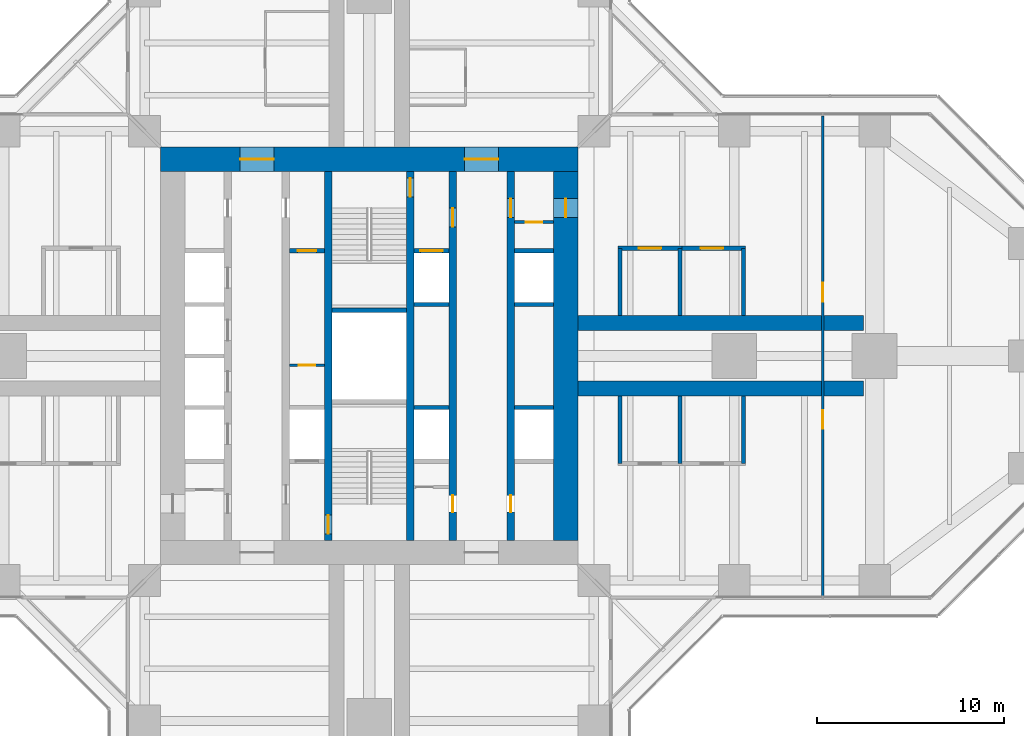
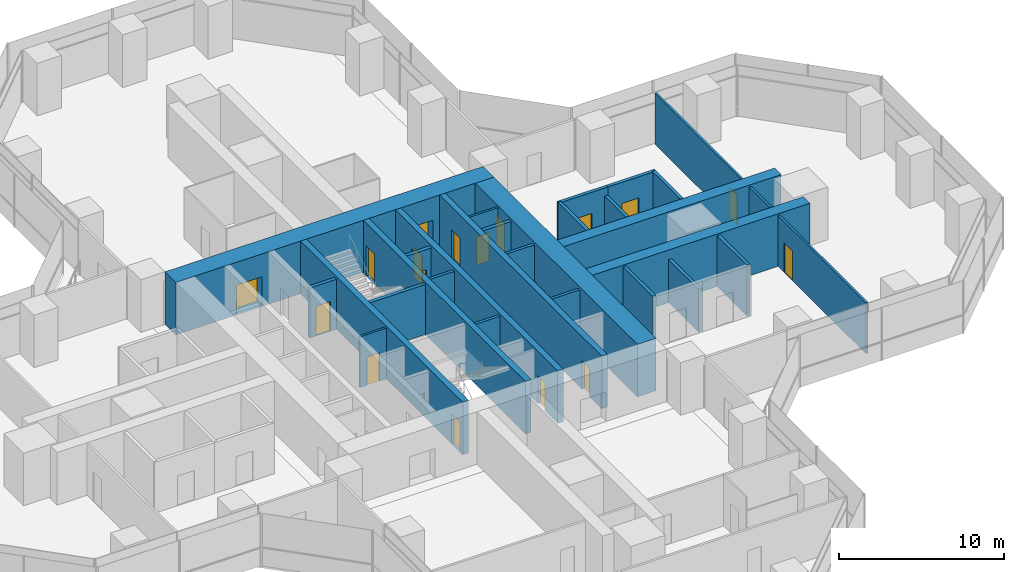
# One storey, part 19 of 22: 27 walls, 17 doors, 17 openings.
"""IFC4 building model written with IfcOpenShell, lengths in metres."""

from ifc_helpers import new_model, si_unit, direction, frame, frame_2d, origin, place, context, subcontext, project, spatial, rectangle, extrude, material, layer, layer_set, type_object, element, fill, save


model = new_model("IFC4")

# Units and contexts
model_context = context("Model", 3, precision=1e-05, world=origin(), true_north=direction((0.0, 1.0)))
body_context = subcontext(model_context, "Body", "Model", "MODEL_VIEW")
ifc_project = project(units=[si_unit("LENGTHUNIT", "METRE"), si_unit("AREAUNIT", "SQUARE_METRE"), si_unit("VOLUMEUNIT", "CUBIC_METRE"), si_unit("PLANEANGLEUNIT", "RADIAN"), si_unit("MASSUNIT", "GRAM", prefix="KILO")], contexts=[model_context])

# Site, building, storey
site_placement = place(None, origin())
site = spatial("IfcSite", under=ifc_project, at=site_placement, CompositionType="ELEMENT")
building_placement = place(site_placement, origin())
building = spatial("IfcBuilding", under=site, at=building_placement, Name="Mizan Broadcast Tower", CompositionType="ELEMENT")
storey_placement = place(building_placement, frame((0.0, 0.0, 59.10009765625)))
storey = spatial("IfcBuildingStorey", under=building, at=storey_placement, Name="L11", CompositionType="ELEMENT", Elevation=59.10009765625)

# Wall, openings, doors
ifc_material_1 = material(Name="Concrete C70/85", Category="concrete")
ifc_layer_1 = layer(ifc_material_1, 0.39990234375)
ifc_layer_set_1 = layer_set([ifc_layer_1], Name="Concrete C70/85")
wall_type_1 = type_object("IfcWallType", Name="CORE INTERNAL WALL 400", PredefinedType="SHEAR", material=ifc_layer_set_1)
wall_1_placement = place(storey_placement, frame((7.550048828125, 9.85009765625, 0.0), z_axis=(0.0, 0.0, 1.0), x_axis=(0.0, -1.0, 0.0)))
wall_1 = element("IfcWall", 1, at=wall_1_placement, inside=storey, type_object=wall_type_1, Name="Core wall CORE/XW1E", PredefinedType="SHEAR", context=body_context, shape_type="SweptSolid", body=[
    extrude(rectangle(XDim=19.7001953125, YDim=0.39990234375, at=frame_2d((9.85009765625, 0.0))), origin(), (0.0, 0.0, 1.0), 3.89990234375),
])
opening_1_placement = place(wall_1_placement, frame((1.449951171875, 0.0, 0.0)))
opening_1 = element("IfcOpeningElement", 2, at=opening_1_placement, cuts=wall_1, Name="Opening D10F", PredefinedType="OPENING", context=body_context, shape_type="SweptSolid", body=[
    extrude(rectangle(XDim=1.0, YDim=2.199951171875, at=frame_2d((0.5, 1.10009765625))), frame((0.0, 0.2099609375, 0.0), z_axis=(0.0, -1.0, 0.0), x_axis=(1.0, 0.0, 0.0)), (0.0, 0.0, 1.0), 0.419921875),
])
opening_2_placement = place(wall_1_placement, frame((17.300048828125, 0.0, 0.0)))
opening_2 = element("IfcOpeningElement", 3, at=opening_2_placement, cuts=wall_1, Name="Opening D09", PredefinedType="OPENING", context=body_context, shape_type="SweptSolid", body=[
    extrude(rectangle(XDim=0.89990234375, YDim=2.10009765625, at=frame_2d((0.449951171875, 1.050048828125))), frame((0.0, 0.2099609375, 0.0), z_axis=(0.0, -1.0, 0.0), x_axis=(1.0, 0.0, 0.0)), (0.0, 0.0, 1.0), 0.419921875),
])
ifc_material_2 = material(Name="Steel door leaf in steel frame", Category="steel")
door_type_1 = type_object("IfcDoorType", Name="FIRE DOOR 1000 FD90", OperationType="SINGLE_SWING_LEFT", PredefinedType="DOOR", material=ifc_material_2)
door_1_placement = place(opening_1_placement, origin())
door_1 = element("IfcDoor", 4, at=door_1_placement, inside=storey, type_object=door_type_1, Name="East core passage door", OperationType="SINGLE_SWING_LEFT", OverallHeight=2.199951171875, OverallWidth=1.0, PredefinedType="DOOR", context=body_context, shape_type="SweptSolid", body=[
    extrude(rectangle(XDim=1.0, YDim=2.199951171875, at=frame_2d((0.5, 1.10009765625))), frame((0.0, 0.02490234375, 0.0), z_axis=(0.0, -1.0, 0.0), x_axis=(1.0, 0.0, 0.0)), (0.0, 0.0, 1.0), 0.050048828125),
])
fill(opening_1, door_1)
ifc_material_3 = material(Name="Timber door leaf in aluminium frame", Category="wood")
door_type_2 = type_object("IfcDoorType", Name="TOILET DOOR 900", OperationType="SINGLE_SWING_LEFT", PredefinedType="DOOR", material=ifc_material_3)
door_2_placement = place(opening_2_placement, origin())
door_2 = element("IfcDoor", 5, at=door_2_placement, inside=storey, type_object=door_type_2, Name="Female WC door", OperationType="SINGLE_SWING_RIGHT", OverallHeight=2.10009765625, OverallWidth=0.89990234375, PredefinedType="DOOR", context=body_context, shape_type="SweptSolid", body=[
    extrude(rectangle(XDim=0.89990234375, YDim=2.10009765625, at=frame_2d((0.449951171875, 1.050048828125))), frame((0.0, 0.02490234375, 0.0), z_axis=(0.0, -1.0, 0.0), x_axis=(1.0, 0.0, 0.0)), (0.0, 0.0, 1.0), 0.050048828125),
])
fill(opening_2, door_2)

wall_2_placement = place(storey_placement, frame((4.449951171875, 9.85009765625, 0.0), z_axis=(0.0, 0.0, 1.0), x_axis=(0.0, -1.0, 0.0)))
wall_2 = element("IfcWall", 6, at=wall_2_placement, inside=storey, type_object=wall_type_1, Name="Core wall CORE/XWHE", PredefinedType="SHEAR", context=body_context, shape_type="SweptSolid", body=[
    extrude(rectangle(XDim=19.7001953125, YDim=0.39990234375, at=frame_2d((9.85009765625, 0.0))), origin(), (0.0, 0.0, 1.0), 3.89990234375),
])
opening_3_placement = place(wall_2_placement, frame((1.949951171875, 0.0, 0.0)))
opening_3 = element("IfcOpeningElement", 7, at=opening_3_placement, cuts=wall_2, Name="Opening D10F", PredefinedType="OPENING", context=body_context, shape_type="SweptSolid", body=[
    extrude(rectangle(XDim=1.0, YDim=2.199951171875, at=frame_2d((0.5, 1.10009765625))), frame((0.0, 0.2099609375, 0.0), z_axis=(0.0, -1.0, 0.0), x_axis=(1.0, 0.0, 0.0)), (0.0, 0.0, 1.0), 0.419921875),
])
opening_4_placement = place(wall_2_placement, frame((17.300048828125, 0.0, 0.0)))
opening_4 = element("IfcOpeningElement", 8, at=opening_4_placement, cuts=wall_2, Name="Opening D09", PredefinedType="OPENING", context=body_context, shape_type="SweptSolid", body=[
    extrude(rectangle(XDim=0.89990234375, YDim=2.10009765625, at=frame_2d((0.449951171875, 1.050048828125))), frame((0.0, 0.2099609375, 0.0), z_axis=(0.0, -1.0, 0.0), x_axis=(1.0, 0.0, 0.0)), (0.0, 0.0, 1.0), 0.419921875),
])
door_3_placement = place(opening_3_placement, origin())
door_3 = element("IfcDoor", 9, at=door_3_placement, inside=storey, type_object=door_type_1, Name="Firefighting lobby B door", OperationType="SINGLE_SWING_LEFT", OverallHeight=2.199951171875, OverallWidth=1.0, PredefinedType="DOOR", context=body_context, shape_type="SweptSolid", body=[
    extrude(rectangle(XDim=1.0, YDim=2.199951171875, at=frame_2d((0.5, 1.10009765625))), frame((0.0, 0.02490234375, 0.0), z_axis=(0.0, -1.0, 0.0), x_axis=(1.0, 0.0, 0.0)), (0.0, 0.0, 1.0), 0.050048828125),
])
fill(opening_3, door_3)
door_4_placement = place(opening_4_placement, origin())
door_4 = element("IfcDoor", 10, at=door_4_placement, inside=storey, type_object=door_type_2, Name="Cleaner's store door", OperationType="SINGLE_SWING_RIGHT", OverallHeight=2.10009765625, OverallWidth=0.89990234375, PredefinedType="DOOR", context=body_context, shape_type="SweptSolid", body=[
    extrude(rectangle(XDim=0.89990234375, YDim=2.10009765625, at=frame_2d((0.449951171875, 1.050048828125))), frame((0.0, 0.02490234375, 0.0), z_axis=(0.0, -1.0, 0.0), x_axis=(1.0, 0.0, 0.0)), (0.0, 0.0, 1.0), 0.050048828125),
])
fill(opening_4, door_4)

# Wall, opening, door
wall_3_placement = place(storey_placement, frame((-2.199951171875, -9.85009765625, 0.0), z_axis=(0.0, 0.0, 1.0), x_axis=(0.0, 1.0, 0.0)))
wall_3 = element("IfcWall", 11, at=wall_3_placement, inside=storey, type_object=wall_type_1, Name="Core wall CORE/XW2", PredefinedType="SHEAR", context=body_context, shape_type="SweptSolid", body=[
    extrude(rectangle(XDim=19.7001953125, YDim=0.39990234375, at=frame_2d((9.85009765625, 0.0))), origin(), (0.0, 0.0, 1.0), 3.89990234375),
])
opening_5_placement = place(wall_3_placement, frame((0.35009765625, 0.0, 0.0)))
opening_5 = element("IfcOpeningElement", 12, at=opening_5_placement, cuts=wall_3, Name="Opening D10S", PredefinedType="OPENING", context=body_context, shape_type="SweptSolid", body=[
    extrude(rectangle(XDim=1.0, YDim=2.199951171875, at=frame_2d((0.5, 1.10009765625))), frame((0.0, 0.2099609375, 0.0), z_axis=(0.0, -1.0, 0.0), x_axis=(1.0, 0.0, 0.0)), (0.0, 0.0, 1.0), 0.419921875),
])
ifc_material_4 = material(Name="Steel door leaf in steel frame", Category="steel")
door_type_3 = type_object("IfcDoorType", Name="STAIR DOOR 1000 FD90S", OperationType="SINGLE_SWING_RIGHT", PredefinedType="DOOR", material=ifc_material_4)
door_5_placement = place(opening_5_placement, origin())
door_5 = element("IfcDoor", 13, at=door_5_placement, inside=storey, type_object=door_type_3, Name="Stair A door", OperationType="SINGLE_SWING_RIGHT", OverallHeight=2.199951171875, OverallWidth=1.0, PredefinedType="DOOR", context=body_context, shape_type="SweptSolid", body=[
    extrude(rectangle(XDim=1.0, YDim=2.199951171875, at=frame_2d((0.5, 1.10009765625))), frame((0.0, 0.02490234375, 0.0), z_axis=(0.0, -1.0, 0.0), x_axis=(1.0, 0.0, 0.0)), (0.0, 0.0, 1.0), 0.050048828125),
])
fill(opening_5, door_5)

wall_4_placement = place(storey_placement, frame((2.199951171875, 9.85009765625, 0.0), z_axis=(0.0, 0.0, 1.0), x_axis=(0.0, -1.0, 0.0)))
wall_4 = element("IfcWall", 14, at=wall_4_placement, inside=storey, type_object=wall_type_1, Name="Core wall CORE/XW2E", PredefinedType="SHEAR", context=body_context, shape_type="SweptSolid", body=[
    extrude(rectangle(XDim=19.7001953125, YDim=0.39990234375, at=frame_2d((9.85009765625, 0.0))), origin(), (0.0, 0.0, 1.0), 3.89990234375),
])
opening_6_placement = place(wall_4_placement, frame((0.35009765625, 0.0, 0.0)))
opening_6 = element("IfcOpeningElement", 15, at=opening_6_placement, cuts=wall_4, Name="Opening D10S", PredefinedType="OPENING", context=body_context, shape_type="SweptSolid", body=[
    extrude(rectangle(XDim=1.0, YDim=2.199951171875, at=frame_2d((0.5, 1.10009765625))), frame((0.0, 0.2099609375, 0.0), z_axis=(0.0, -1.0, 0.0), x_axis=(1.0, 0.0, 0.0)), (0.0, 0.0, 1.0), 0.419921875),
])
door_6_placement = place(opening_6_placement, origin())
door_6 = element("IfcDoor", 16, at=door_6_placement, inside=storey, type_object=door_type_3, Name="Stair B door", OperationType="SINGLE_SWING_RIGHT", OverallHeight=2.199951171875, OverallWidth=1.0, PredefinedType="DOOR", context=body_context, shape_type="SweptSolid", body=[
    extrude(rectangle(XDim=1.0, YDim=2.199951171875, at=frame_2d((0.5, 1.10009765625))), frame((0.0, 0.02490234375, 0.0), z_axis=(0.0, -1.0, 0.0), x_axis=(1.0, 0.0, 0.0)), (0.0, 0.0, 1.0), 0.050048828125),
])
fill(opening_6, door_6)

ifc_material_5 = material(Name="Concrete blockwork", Category="masonry")
ifc_layer_2 = layer(ifc_material_5, 0.14990234375)
ifc_layer_set_2 = layer_set([ifc_layer_2], Name="Concrete blockwork")
wall_type_2 = type_object("IfcWallType", Name="CORE PARTITION 150", PredefinedType="SOLIDWALL", material=ifc_layer_set_2)
wall_5_placement = place(storey_placement, frame((-4.25, -0.5, 0.0), z_axis=(0.0, 0.0, 1.0), x_axis=(1.0, 0.0, 0.0)))
wall_5 = element("IfcWall", 17, at=wall_5_placement, inside=storey, type_object=wall_type_2, Name="Core partition CORE/XP2", PredefinedType="SOLIDWALL", context=body_context, shape_type="SweptSolid", body=[
    extrude(rectangle(XDim=1.85009765625, YDim=0.14990234375, at=frame_2d((0.925048828125, 0.0))), origin(), (0.0, 0.0, 1.0), 3.77001953125),
])
opening_7_placement = place(wall_5_placement, frame((0.47509765625, 0.0, 0.0)))
opening_7 = element("IfcOpeningElement", 18, at=opening_7_placement, cuts=wall_5, Name="Opening D09F", PredefinedType="OPENING", context=body_context, shape_type="SweptSolid", body=[
    extrude(rectangle(XDim=0.89990234375, YDim=2.10009765625, at=frame_2d((0.449951171875, 1.050048828125))), frame((0.0, 0.0849609375, 0.0), z_axis=(0.0, -1.0, 0.0), x_axis=(1.0, 0.0, 0.0)), (0.0, 0.0, 1.0), 0.169921875),
])
ifc_material_6 = material(Name="Steel door leaf in steel frame", Category="steel")
door_type_4 = type_object("IfcDoorType", Name="CORE ROOM DOOR 900 FD90", OperationType="SINGLE_SWING_LEFT", PredefinedType="DOOR", material=ifc_material_6)
door_7_placement = place(opening_7_placement, origin())
door_7 = element("IfcDoor", 19, at=door_7_placement, inside=storey, type_object=door_type_4, Name="Accessible changing room door", OperationType="SINGLE_SWING_RIGHT", OverallHeight=2.10009765625, OverallWidth=0.89990234375, PredefinedType="DOOR", context=body_context, shape_type="SweptSolid", body=[
    extrude(rectangle(XDim=0.89990234375, YDim=2.10009765625, at=frame_2d((0.449951171875, 1.050048828125))), frame((0.0, 0.02490234375, 0.0), z_axis=(0.0, -1.0, 0.0), x_axis=(1.0, 0.0, 0.0)), (0.0, 0.0, 1.0), 0.050048828125),
])
fill(opening_7, door_7)

wall_6_placement = place(storey_placement, frame((9.85009765625, 7.14990234375, 0.0), z_axis=(0.0, 0.0, 1.0), x_axis=(-1.0, 0.0, 0.0)))
wall_6 = element("IfcWall", 20, at=wall_6_placement, inside=storey, type_object=wall_type_2, Name="Core partition CORE/XPE", PredefinedType="SOLIDWALL", context=body_context, shape_type="SweptSolid", body=[
    extrude(rectangle(XDim=2.10009765625, YDim=0.14990234375, at=frame_2d((1.050048828125, 0.0))), origin(), (0.0, 0.0, 1.0), 3.77001953125),
])
opening_8_placement = place(wall_6_placement, frame((0.60009765625, 0.0, 0.0)))
opening_8 = element("IfcOpeningElement", 21, at=opening_8_placement, cuts=wall_6, Name="Opening D09F", PredefinedType="OPENING", context=body_context, shape_type="SweptSolid", body=[
    extrude(rectangle(XDim=0.89990234375, YDim=2.10009765625, at=frame_2d((0.449951171875, 1.050048828125))), frame((0.0, 0.0849609375, 0.0), z_axis=(0.0, -1.0, 0.0), x_axis=(1.0, 0.0, 0.0)), (0.0, 0.0, 1.0), 0.169921875),
])
door_8_placement = place(opening_8_placement, origin())
door_8 = element("IfcDoor", 22, at=door_8_placement, inside=storey, type_object=door_type_4, Name="Electrical cupboard door", OperationType="SINGLE_SWING_RIGHT", OverallHeight=2.10009765625, OverallWidth=0.89990234375, PredefinedType="DOOR", context=body_context, shape_type="SweptSolid", body=[
    extrude(rectangle(XDim=0.89990234375, YDim=2.10009765625, at=frame_2d((0.449951171875, 1.050048828125))), frame((0.0, 0.02490234375, 0.0), z_axis=(0.0, -1.0, 0.0), x_axis=(1.0, 0.0, 0.0)), (0.0, 0.0, 1.0), 0.050048828125),
])
fill(opening_8, door_8)

# Wall, openings, doors
ifc_material_7 = material(Name="Concrete C70/85", Category="concrete")
ifc_layer_3 = layer(ifc_material_7, 1.300048828125)
ifc_layer_set_3 = layer_set([ifc_layer_3], Name="Concrete C70/85")
wall_type_3 = type_object("IfcWallType", Name="CORE WALL 1300", PredefinedType="SHEAR", material=ifc_layer_set_3)
wall_7_placement = place(storey_placement, frame((-11.14990234375, 10.5, 0.0), z_axis=(0.0, 0.0, 1.0), x_axis=(1.0, 0.0, 0.0)))
wall_7 = element("IfcWall", 23, at=wall_7_placement, inside=storey, type_object=wall_type_3, Name="Core wall N L11", PredefinedType="SHEAR", context=body_context, shape_type="SweptSolid", body=[
    extrude(rectangle(XDim=22.2998046875, YDim=1.300048828125, at=frame_2d((11.14990234375, 0.0))), origin(), (0.0, 0.0, 1.0), 3.89990234375),
])
opening_9_placement = place(wall_7_placement, frame((4.25, 0.0, 0.0)))
opening_9 = element("IfcOpeningElement", 24, at=opening_9_placement, cuts=wall_7, Name="Opening D18F", PredefinedType="OPENING", context=body_context, shape_type="SweptSolid", body=[
    extrude(rectangle(XDim=1.800048828125, YDim=2.199951171875, at=frame_2d((0.89990234375, 1.10009765625))), frame((0.0, 0.659912109375, 0.0), z_axis=(0.0, -1.0, 0.0), x_axis=(1.0, 0.0, 0.0)), (0.0, 0.0, 1.0), 1.320068359375),
])
opening_10_placement = place(wall_7_placement, frame((16.25, 0.0, 0.0)))
opening_10 = element("IfcOpeningElement", 25, at=opening_10_placement, cuts=wall_7, Name="Opening D18F", PredefinedType="OPENING", context=body_context, shape_type="SweptSolid", body=[
    extrude(rectangle(XDim=1.800048828125, YDim=2.199951171875, at=frame_2d((0.89990234375, 1.10009765625))), frame((0.0, 0.659912109375, 0.0), z_axis=(0.0, -1.0, 0.0), x_axis=(1.0, 0.0, 0.0)), (0.0, 0.0, 1.0), 1.320068359375),
])
ifc_material_8 = material(Name="Steel door leaf in steel frame", Category="steel")
door_type_5 = type_object("IfcDoorType", Name="LOBBY DOUBLE DOOR 1800 FD90", OperationType="DOUBLE_DOOR_DOUBLE_SWING", PredefinedType="DOOR", material=ifc_material_8)
door_9_placement = place(opening_9_placement, origin())
door_9 = element("IfcDoor", 26, at=door_9_placement, inside=storey, type_object=door_type_5, Name="West lift lobby north door", OperationType="DOUBLE_DOOR_DOUBLE_SWING", OverallHeight=2.199951171875, OverallWidth=1.800048828125, PredefinedType="DOOR", context=body_context, shape_type="SweptSolid", body=[
    extrude(rectangle(XDim=1.800048828125, YDim=2.199951171875, at=frame_2d((0.89990234375, 1.10009765625))), frame((0.0, 0.02490234375, 0.0), z_axis=(0.0, -1.0, 0.0), x_axis=(1.0, 0.0, 0.0)), (0.0, 0.0, 1.0), 0.050048828125),
])
fill(opening_9, door_9)
door_10_placement = place(opening_10_placement, origin())
door_10 = element("IfcDoor", 27, at=door_10_placement, inside=storey, type_object=door_type_5, Name="East lift lobby north door", OperationType="DOUBLE_DOOR_DOUBLE_SWING", OverallHeight=2.199951171875, OverallWidth=1.800048828125, PredefinedType="DOOR", context=body_context, shape_type="SweptSolid", body=[
    extrude(rectangle(XDim=1.800048828125, YDim=2.199951171875, at=frame_2d((0.89990234375, 1.10009765625))), frame((0.0, 0.02490234375, 0.0), z_axis=(0.0, -1.0, 0.0), x_axis=(1.0, 0.0, 0.0)), (0.0, 0.0, 1.0), 0.050048828125),
])
fill(opening_10, door_10)

# Wall, opening, door
wall_8_placement = place(storey_placement, frame((10.5, -9.85009765625, 0.0), z_axis=(0.0, 0.0, 1.0), x_axis=(0.0, 1.0, 0.0)))
wall_8 = element("IfcWall", 28, at=wall_8_placement, inside=storey, type_object=wall_type_3, Name="Core wall E L11", PredefinedType="SHEAR", context=body_context, shape_type="SweptSolid", body=[
    extrude(rectangle(XDim=19.7001953125, YDim=1.300048828125, at=frame_2d((9.85009765625, 0.0))), origin(), (0.0, 0.0, 1.0), 3.89990234375),
])
opening_11_placement = place(wall_8_placement, frame((17.25, 0.0, 0.0)))
opening_11 = element("IfcOpeningElement", 29, at=opening_11_placement, cuts=wall_8, Name="Opening D10F", PredefinedType="OPENING", context=body_context, shape_type="SweptSolid", body=[
    extrude(rectangle(XDim=1.0, YDim=2.199951171875, at=frame_2d((0.5, 1.10009765625))), frame((0.0, 0.659912109375, 0.0), z_axis=(0.0, -1.0, 0.0), x_axis=(1.0, 0.0, 0.0)), (0.0, 0.0, 1.0), 1.320068359375),
])
door_11_placement = place(opening_11_placement, origin())
door_11 = element("IfcDoor", 30, at=door_11_placement, inside=storey, type_object=door_type_1, Name="East core passage arm door", OperationType="SINGLE_SWING_RIGHT", OverallHeight=2.199951171875, OverallWidth=1.0, PredefinedType="DOOR", context=body_context, shape_type="SweptSolid", body=[
    extrude(rectangle(XDim=1.0, YDim=2.199951171875, at=frame_2d((0.5, 1.10009765625))), frame((0.0, 0.02490234375, 0.0), z_axis=(0.0, -1.0, 0.0), x_axis=(1.0, 0.0, 0.0)), (0.0, 0.0, 1.0), 0.050048828125),
])
fill(opening_11, door_11)

# Walls
ifc_material_9 = material(Name="Concrete blockwork", Category="masonry")
ifc_layer_4 = layer(ifc_material_9, 0.199951171875)
ifc_layer_set_4 = layer_set([ifc_layer_4], Name="Concrete blockwork")
wall_type_4 = type_object("IfcWallType", Name="LIFT SHAFT WALL 200", PredefinedType="SOLIDWALL", material=ifc_layer_set_4)
wall_9_placement = place(storey_placement, frame((2.39990234375, -2.75, 0.0), z_axis=(0.0, 0.0, 1.0), x_axis=(1.0, 0.0, 0.0)))
element("IfcWall", 31, at=wall_9_placement, inside=storey, type_object=wall_type_4, Name="Lift shaft wall CORE/SE2-1", PredefinedType="SOLIDWALL", context=body_context, shape_type="SweptSolid", body=[
    extrude(rectangle(XDim=1.85009765625, YDim=0.199951171875, at=frame_2d((0.925048828125, 0.0))), origin(), (0.0, 0.0, 1.0), 3.699951171875),
])
wall_10_placement = place(storey_placement, frame((7.75, -2.75, 0.0), z_axis=(0.0, 0.0, 1.0), x_axis=(1.0, 0.0, 0.0)))
element("IfcWall", 32, at=wall_10_placement, inside=storey, type_object=wall_type_4, Name="Lift shaft wall CORE/SE1-1", PredefinedType="SOLIDWALL", context=body_context, shape_type="SweptSolid", body=[
    extrude(rectangle(XDim=2.10009765625, YDim=0.199951171875, at=frame_2d((1.050048828125, 0.0))), origin(), (0.0, 0.0, 1.0), 3.699951171875),
])
wall_11_placement = place(storey_placement, frame((2.39990234375, 2.75, 0.0), z_axis=(0.0, 0.0, 1.0), x_axis=(1.0, 0.0, 0.0)))
element("IfcWall", 33, at=wall_11_placement, inside=storey, type_object=wall_type_4, Name="Lift shaft wall CORE/SE2-3", PredefinedType="SOLIDWALL", context=body_context, shape_type="SweptSolid", body=[
    extrude(rectangle(XDim=1.85009765625, YDim=0.199951171875, at=frame_2d((0.925048828125, 0.0))), origin(), (0.0, 0.0, 1.0), 3.699951171875),
])
wall_12_placement = place(storey_placement, frame((7.75, 2.75, 0.0), z_axis=(0.0, 0.0, 1.0), x_axis=(1.0, 0.0, 0.0)))
element("IfcWall", 34, at=wall_12_placement, inside=storey, type_object=wall_type_4, Name="Lift shaft wall CORE/SE1-3", PredefinedType="SOLIDWALL", context=body_context, shape_type="SweptSolid", body=[
    extrude(rectangle(XDim=2.10009765625, YDim=0.199951171875, at=frame_2d((1.050048828125, 0.0))), origin(), (0.0, 0.0, 1.0), 3.699951171875),
])

# Wall, opening, door
ifc_material_10 = material(Name="Concrete blockwork", Category="masonry")
ifc_layer_5 = layer(ifc_material_10, 0.25)
ifc_layer_set_5 = layer_set([ifc_layer_5], Name="Concrete blockwork")
wall_type_5 = type_object("IfcWallType", Name="LOBBY ENCLOSURE WALL 250", PredefinedType="SOLIDWALL", material=ifc_layer_set_5)
wall_13_placement = place(storey_placement, frame((-4.25, 5.625, 0.0), z_axis=(0.0, 0.0, 1.0), x_axis=(1.0, 0.0, 0.0)))
wall_13 = element("IfcWall", 35, at=wall_13_placement, inside=storey, type_object=wall_type_5, Name="Lobby enclosure wall CORE/BW2N", PredefinedType="SOLIDWALL", context=body_context, shape_type="SweptSolid", body=[
    extrude(rectangle(XDim=1.85009765625, YDim=0.25, at=frame_2d((0.925048828125, 0.0))), origin(), (0.0, 0.0, 1.0), 3.699951171875),
])
opening_12_placement = place(wall_13_placement, frame((0.425048828125, 0.0, 0.0)))
opening_12 = element("IfcOpeningElement", 36, at=opening_12_placement, cuts=wall_13, Name="Opening D10F", PredefinedType="OPENING", context=body_context, shape_type="SweptSolid", body=[
    extrude(rectangle(XDim=1.0, YDim=2.199951171875, at=frame_2d((0.5, 1.10009765625))), frame((0.0, 0.135009765625, 0.0), z_axis=(0.0, -1.0, 0.0), x_axis=(1.0, 0.0, 0.0)), (0.0, 0.0, 1.0), 0.27001953125),
])
door_12_placement = place(opening_12_placement, origin())
door_12 = element("IfcDoor", 37, at=door_12_placement, inside=storey, type_object=door_type_1, Name="Baby change room door", OperationType="SINGLE_SWING_RIGHT", OverallHeight=2.199951171875, OverallWidth=1.0, PredefinedType="DOOR", context=body_context, shape_type="SweptSolid", body=[
    extrude(rectangle(XDim=1.0, YDim=2.199951171875, at=frame_2d((0.5, 1.10009765625))), frame((0.0, 0.02490234375, 0.0), z_axis=(0.0, -1.0, 0.0), x_axis=(1.0, 0.0, 0.0)), (0.0, 0.0, 1.0), 0.050048828125),
])
fill(opening_12, door_12)

wall_14_placement = place(storey_placement, frame((2.39990234375, 5.625, 0.0), z_axis=(0.0, 0.0, 1.0), x_axis=(1.0, 0.0, 0.0)))
wall_14 = element("IfcWall", 38, at=wall_14_placement, inside=storey, type_object=wall_type_5, Name="Lobby enclosure wall CORE/BE2N", PredefinedType="SOLIDWALL", context=body_context, shape_type="SweptSolid", body=[
    extrude(rectangle(XDim=1.85009765625, YDim=0.25, at=frame_2d((0.925048828125, 0.0))), origin(), (0.0, 0.0, 1.0), 3.699951171875),
])
opening_13_placement = place(wall_14_placement, frame((0.324951171875, 0.0, 0.0)))
opening_13 = element("IfcOpeningElement", 39, at=opening_13_placement, cuts=wall_14, Name="Opening LDF", PredefinedType="OPENING", context=body_context, shape_type="SweptSolid", body=[
    extrude(rectangle(XDim=1.199951171875, YDim=2.199951171875, at=frame_2d((0.60009765625, 1.10009765625))), frame((0.0, 0.135009765625, 0.0), z_axis=(0.0, -1.0, 0.0), x_axis=(1.0, 0.0, 0.0)), (0.0, 0.0, 1.0), 0.27001953125),
])
ifc_material_11 = material(Name="Steel door leaf in steel frame", Category="steel")
door_type_6 = type_object("IfcDoorType", Name="FIREFIGHTING LIFT LANDING DOOR 1200", OperationType="SLIDING_TO_LEFT", PredefinedType="DOOR", material=ifc_material_11)
door_13_placement = place(opening_13_placement, origin())
door_13 = element("IfcDoor", 40, at=door_13_placement, inside=storey, type_object=door_type_6, Name="Landing door FF2", OperationType="SLIDING_TO_LEFT", OverallHeight=2.199951171875, OverallWidth=1.199951171875, PredefinedType="DOOR", context=body_context, shape_type="SweptSolid", body=[
    extrude(rectangle(XDim=1.199951171875, YDim=2.199951171875, at=frame_2d((0.60009765625, 1.10009765625))), frame((0.0, 0.02490234375, 0.0), z_axis=(0.0, -1.0, 0.0), x_axis=(1.0, 0.0, 0.0)), (0.0, 0.0, 1.0), 0.050048828125),
])
fill(opening_13, door_13)

# Walls
wall_15_placement = place(storey_placement, frame((7.75, 5.625, 0.0), z_axis=(0.0, 0.0, 1.0), x_axis=(1.0, 0.0, 0.0)))
element("IfcWall", 41, at=wall_15_placement, inside=storey, type_object=wall_type_5, Name="Lobby enclosure wall CORE/BE1N", PredefinedType="SOLIDWALL", context=body_context, shape_type="SweptSolid", body=[
    extrude(rectangle(XDim=2.10009765625, YDim=0.25, at=frame_2d((1.050048828125, 0.0))), origin(), (0.0, 0.0, 1.0), 3.699951171875),
])
wall_16_placement = place(storey_placement, frame((-2.0, 2.449951171875, 0.0), z_axis=(0.0, 0.0, 1.0), x_axis=(1.0, 0.0, 0.0)))
element("IfcWall", 42, at=wall_16_placement, inside=storey, type_object=wall_type_5, Name="Lobby enclosure wall CORE/STB", PredefinedType="SOLIDWALL", context=body_context, shape_type="SweptSolid", body=[
    extrude(rectangle(XDim=4.0, YDim=0.25, at=frame_2d((2.0, 0.0))), origin(), (0.0, 0.0, 1.0), 3.699951171875),
])

# Wall, openings, doors
ifc_material_12 = material(Name="Gypsum board on steel studs", Category="steel")
ifc_layer_6 = layer(ifc_material_12, 0.14990234375)
ifc_layer_set_6 = layer_set([ifc_layer_6], Name="Gypsum board on steel studs")
wall_type_6 = type_object("IfcWallType", Name="PARTITION 150", PredefinedType="PARTITIONING", material=ifc_layer_set_6)
wall_17_placement = place(storey_placement, frame((24.22900390625, -12.820068359375, 0.0), z_axis=(0.0, 0.0, 1.0), x_axis=(0.0, 1.0, 0.0)))
wall_17 = element("IfcWall", 43, at=wall_17_placement, inside=storey, type_object=wall_type_6, Name="Partition PT/EX1", PredefinedType="PARTITIONING", context=body_context, shape_type="SweptSolid", body=[
    extrude(rectangle(XDim=25.64013671875, YDim=0.14990234375, at=frame_2d((12.820068359375, 0.0))), origin(), (0.0, 0.0, 1.0), 3.77001953125),
])
opening_14_placement = place(wall_17_placement, frame((15.719970703125, 0.0, 0.0)))
opening_14 = element("IfcOpeningElement", 44, at=opening_14_placement, cuts=wall_17, Name="Opening D10", PredefinedType="OPENING", context=body_context, shape_type="SweptSolid", body=[
    extrude(rectangle(XDim=1.0, YDim=2.199951171875, at=frame_2d((0.5, 1.10009765625))), frame((0.0, 0.0849609375, 0.0), z_axis=(0.0, -1.0, 0.0), x_axis=(1.0, 0.0, 0.0)), (0.0, 0.0, 1.0), 0.169921875),
])
opening_15_placement = place(wall_17_placement, frame((8.919921875, 0.0, 0.0)))
opening_15 = element("IfcOpeningElement", 45, at=opening_15_placement, cuts=wall_17, Name="Opening D10", PredefinedType="OPENING", context=body_context, shape_type="SweptSolid", body=[
    extrude(rectangle(XDim=1.0, YDim=2.199951171875, at=frame_2d((0.5, 1.10009765625))), frame((0.0, 0.0849609375, 0.0), z_axis=(0.0, -1.0, 0.0), x_axis=(1.0, 0.0, 0.0)), (0.0, 0.0, 1.0), 0.169921875),
])
ifc_material_13 = material(Name="Timber door leaf in aluminium frame", Category="wood")
door_type_7 = type_object("IfcDoorType", Name="ROOM DOOR 1000", OperationType="SINGLE_SWING_LEFT", PredefinedType="DOOR", material=ifc_material_13)
door_14_placement = place(opening_14_placement, origin())
door_14 = element("IfcDoor", 46, at=door_14_placement, inside=storey, type_object=door_type_7, Name="Open office door", OperationType="SINGLE_SWING_RIGHT", OverallHeight=2.199951171875, OverallWidth=1.0, PredefinedType="DOOR", context=body_context, shape_type="SweptSolid", body=[
    extrude(rectangle(XDim=1.0, YDim=2.199951171875, at=frame_2d((0.5, 1.10009765625))), frame((0.0, 0.02490234375, 0.0), z_axis=(0.0, -1.0, 0.0), x_axis=(1.0, 0.0, 0.0)), (0.0, 0.0, 1.0), 0.050048828125),
])
fill(opening_14, door_14)
door_15_placement = place(opening_15_placement, origin())
door_15 = element("IfcDoor", 47, at=door_15_placement, inside=storey, type_object=door_type_7, Name="Open office door", OperationType="SINGLE_SWING_LEFT", OverallHeight=2.199951171875, OverallWidth=1.0, PredefinedType="DOOR", context=body_context, shape_type="SweptSolid", body=[
    extrude(rectangle(XDim=1.0, YDim=2.199951171875, at=frame_2d((0.5, 1.10009765625))), frame((0.0, 0.02490234375, 0.0), z_axis=(0.0, -1.0, 0.0), x_axis=(1.0, 0.0, 0.0)), (0.0, 0.0, 1.0), 0.050048828125),
])
fill(opening_15, door_15)

# Walls
ifc_material_14 = material(Name="Twin steel stud acoustic partition, four layers of gypsum board", Category="steel")
ifc_layer_7 = layer(ifc_material_14, 0.22509765625)
ifc_layer_set_7 = layer_set([ifc_layer_7], Name="Twin steel stud acoustic partition, four layers of gypsum board")
wall_type_7 = type_object("IfcWallType", Name="PARTITION ACOUSTIC 225", PredefinedType="PARTITIONING", material=ifc_layer_set_7)
wall_18_placement = place(storey_placement, frame((13.39990234375, 2.14990234375, 0.0), z_axis=(0.0, 0.0, 1.0), x_axis=(0.0, 1.0, 0.0)))
element("IfcWall", 48, at=wall_18_placement, inside=storey, type_object=wall_type_7, Name="Acoustic partition PT/EKP0a", PredefinedType="PARTITIONING", context=body_context, shape_type="SweptSolid", body=[
    extrude(rectangle(XDim=3.60009765625, YDim=0.22509765625, at=frame_2d((1.800048828125, 0.0))), origin(), (0.0, 0.0, 1.0), 3.77001953125),
])
wall_19_placement = place(storey_placement, frame((16.60009765625, 2.14990234375, 0.0), z_axis=(0.0, 0.0, 1.0), x_axis=(0.0, 1.0, 0.0)))
element("IfcWall", 49, at=wall_19_placement, inside=storey, type_object=wall_type_7, Name="Acoustic partition PT/EKP0b", PredefinedType="PARTITIONING", context=body_context, shape_type="SweptSolid", body=[
    extrude(rectangle(XDim=3.60009765625, YDim=0.22509765625, at=frame_2d((1.800048828125, 0.0))), origin(), (0.0, 0.0, 1.0), 3.179931640625),
])

# Wall, opening, door
wall_20_placement = place(storey_placement, frame((13.28759765625, 5.75, 0.0), z_axis=(0.0, 0.0, 1.0), x_axis=(1.0, 0.0, 0.0)))
wall_20 = element("IfcWall", 50, at=wall_20_placement, inside=storey, type_object=wall_type_7, Name="Acoustic partition PT/EKP0f", PredefinedType="PARTITIONING", context=body_context, shape_type="SweptSolid", body=[
    extrude(rectangle(XDim=3.4248046875, YDim=0.22509765625, at=frame_2d((1.71240234375, 0.0))), origin(), (0.0, 0.0, 1.0), 3.77001953125),
])
opening_16_placement = place(wall_20_placement, frame((1.112548828125, 0.0, 0.0)))
opening_16 = element("IfcOpeningElement", 51, at=opening_16_placement, cuts=wall_20, Name="Opening D12A", PredefinedType="OPENING", context=body_context, shape_type="SweptSolid", body=[
    extrude(rectangle(XDim=1.199951171875, YDim=2.199951171875, at=frame_2d((0.60009765625, 1.10009765625))), frame((0.0, 0.12255859375, 0.0), z_axis=(0.0, -1.0, 0.0), x_axis=(1.0, 0.0, 0.0)), (0.0, 0.0, 1.0), 0.2451171875),
])
ifc_material_15 = material(Name="Timber door leaf in aluminium frame", Category="wood")
door_type_8 = type_object("IfcDoorType", Name="ACOUSTIC DOOR 1200", OperationType="SINGLE_SWING_LEFT", PredefinedType="DOOR", material=ifc_material_15)
door_16_placement = place(opening_16_placement, origin())
door_16 = element("IfcDoor", 52, at=door_16_placement, inside=storey, type_object=door_type_8, Name="Edit suite door", OperationType="SINGLE_SWING_LEFT", OverallHeight=2.199951171875, OverallWidth=1.199951171875, PredefinedType="DOOR", context=body_context, shape_type="SweptSolid", body=[
    extrude(rectangle(XDim=1.199951171875, YDim=2.199951171875, at=frame_2d((0.60009765625, 1.10009765625))), frame((0.0, 0.02490234375, 0.0), z_axis=(0.0, -1.0, 0.0), x_axis=(1.0, 0.0, 0.0)), (0.0, 0.0, 1.0), 0.050048828125),
])
fill(opening_16, door_16)

# Wall
wall_21_placement = place(storey_placement, frame((20.0, 2.14990234375, 0.0), z_axis=(0.0, 0.0, 1.0), x_axis=(0.0, 1.0, 0.0)))
element("IfcWall", 53, at=wall_21_placement, inside=storey, type_object=wall_type_7, Name="Acoustic partition PT/EKP1b", PredefinedType="PARTITIONING", context=body_context, shape_type="SweptSolid", body=[
    extrude(rectangle(XDim=3.60009765625, YDim=0.22509765625, at=frame_2d((1.800048828125, 0.0))), origin(), (0.0, 0.0, 1.0), 3.77001953125),
])

# Wall, opening, door
wall_22_placement = place(storey_placement, frame((16.71240234375, 5.75, 0.0), z_axis=(0.0, 0.0, 1.0), x_axis=(1.0, 0.0, 0.0)))
wall_22 = element("IfcWall", 54, at=wall_22_placement, inside=storey, type_object=wall_type_7, Name="Acoustic partition PT/EKP1f", PredefinedType="PARTITIONING", context=body_context, shape_type="SweptSolid", body=[
    extrude(rectangle(XDim=3.400146484375, YDim=0.22509765625, at=frame_2d((1.7001953125, 0.0))), origin(), (0.0, 0.0, 1.0), 3.77001953125),
])
opening_17_placement = place(wall_22_placement, frame((0.987548828125, 0.0, 0.0)))
opening_17 = element("IfcOpeningElement", 55, at=opening_17_placement, cuts=wall_22, Name="Opening D12A", PredefinedType="OPENING", context=body_context, shape_type="SweptSolid", body=[
    extrude(rectangle(XDim=1.199951171875, YDim=2.199951171875, at=frame_2d((0.60009765625, 1.10009765625))), frame((0.0, 0.12255859375, 0.0), z_axis=(0.0, -1.0, 0.0), x_axis=(1.0, 0.0, 0.0)), (0.0, 0.0, 1.0), 0.2451171875),
])
door_17_placement = place(opening_17_placement, origin())
door_17 = element("IfcDoor", 56, at=door_17_placement, inside=storey, type_object=door_type_8, Name="Edit suite door", OperationType="SINGLE_SWING_LEFT", OverallHeight=2.199951171875, OverallWidth=1.199951171875, PredefinedType="DOOR", context=body_context, shape_type="SweptSolid", body=[
    extrude(rectangle(XDim=1.199951171875, YDim=2.199951171875, at=frame_2d((0.60009765625, 1.10009765625))), frame((0.0, 0.02490234375, 0.0), z_axis=(0.0, -1.0, 0.0), x_axis=(1.0, 0.0, 0.0)), (0.0, 0.0, 1.0), 0.050048828125),
])
fill(opening_17, door_17)

# Walls
wall_23_placement = place(storey_placement, frame((13.39990234375, -2.14990234375, 0.0), z_axis=(0.0, 0.0, 1.0), x_axis=(0.0, -1.0, 0.0)))
element("IfcWall", 57, at=wall_23_placement, inside=storey, type_object=wall_type_7, Name="Acoustic partition PT/EKN0a", PredefinedType="PARTITIONING", context=body_context, shape_type="SweptSolid", body=[
    extrude(rectangle(XDim=3.60009765625, YDim=0.22509765625, at=frame_2d((1.800048828125, 0.0))), origin(), (0.0, 0.0, 1.0), 3.77001953125),
])
wall_24_placement = place(storey_placement, frame((16.60009765625, -2.14990234375, 0.0), z_axis=(0.0, 0.0, 1.0), x_axis=(0.0, -1.0, 0.0)))
element("IfcWall", 58, at=wall_24_placement, inside=storey, type_object=wall_type_7, Name="Acoustic partition PT/EKN0b", PredefinedType="PARTITIONING", context=body_context, shape_type="SweptSolid", body=[
    extrude(rectangle(XDim=3.60009765625, YDim=0.22509765625, at=frame_2d((1.800048828125, 0.0))), origin(), (0.0, 0.0, 1.0), 3.179931640625),
])
wall_25_placement = place(storey_placement, frame((20.0, -2.14990234375, 0.0), z_axis=(0.0, 0.0, 1.0), x_axis=(0.0, -1.0, 0.0)))
element("IfcWall", 59, at=wall_25_placement, inside=storey, type_object=wall_type_7, Name="Acoustic partition PT/EKN1b", PredefinedType="PARTITIONING", context=body_context, shape_type="SweptSolid", body=[
    extrude(rectangle(XDim=3.60009765625, YDim=0.22509765625, at=frame_2d((1.800048828125, 0.0))), origin(), (0.0, 0.0, 1.0), 3.77001953125),
])
ifc_material_16 = material(Name="Concrete C70/85", Category="concrete")
ifc_layer_8 = layer(ifc_material_16, 0.800048828125)
ifc_layer_set_8 = layer_set([ifc_layer_8], Name="Concrete C70/85")
wall_type_8 = type_object("IfcWallType", Name="SPINE WALL 800", PredefinedType="SHEAR", material=ifc_layer_set_8)
for number, where, z_axis, x_axis, name in (
    (60, (11.14990234375, -1.75, 0.0), (0.0, 0.0, 1.0), (1.0, 0.0, 0.0), "Spine wall ER L11"),
    (61, (11.14990234375, 1.75, 0.0), (0.0, 0.0, 1.0), (1.0, 0.0, 0.0), "Spine wall EL L11"),
):
    element("IfcWall", number, at=place(storey_placement, frame(where, z_axis=z_axis, x_axis=x_axis)), inside=storey, type_object=wall_type_8, Name=name, PredefinedType="SHEAR", context=body_context, shape_type="SweptSolid", body=[
        extrude(rectangle(XDim=15.25, YDim=0.800048828125, at=frame_2d((7.625, 0.0))), origin(), (0.0, 0.0, 1.0), 3.89990234375),
    ])

save(model, "model.ifc")
